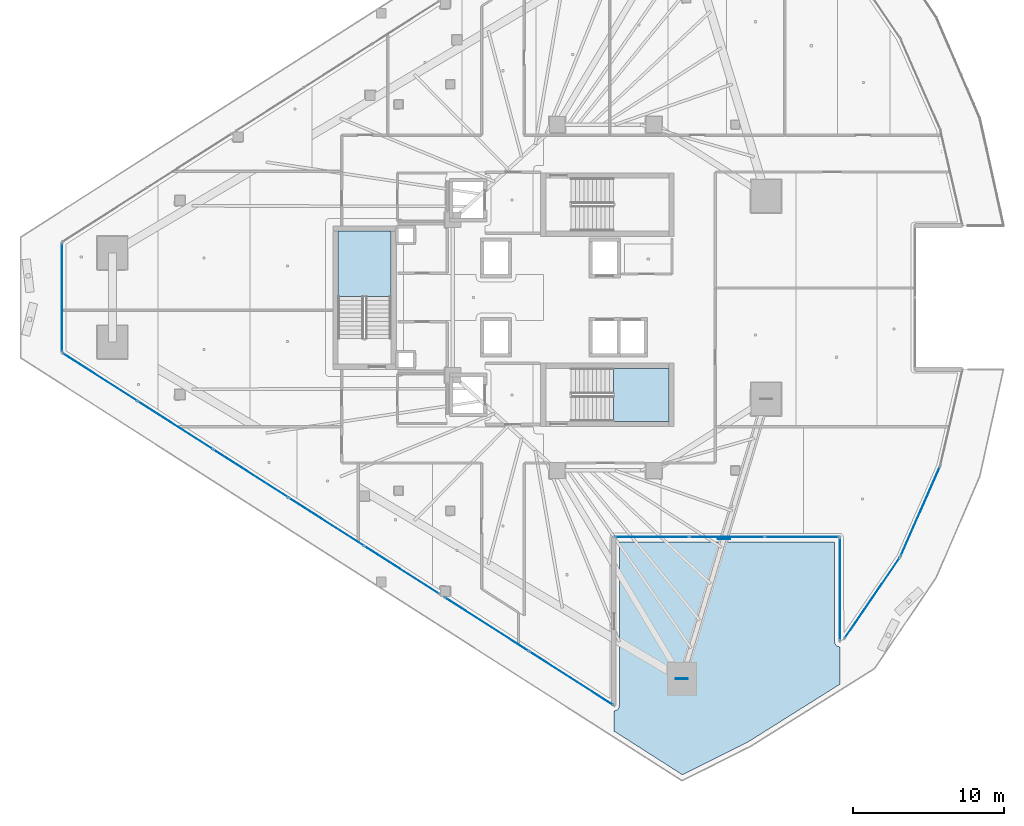
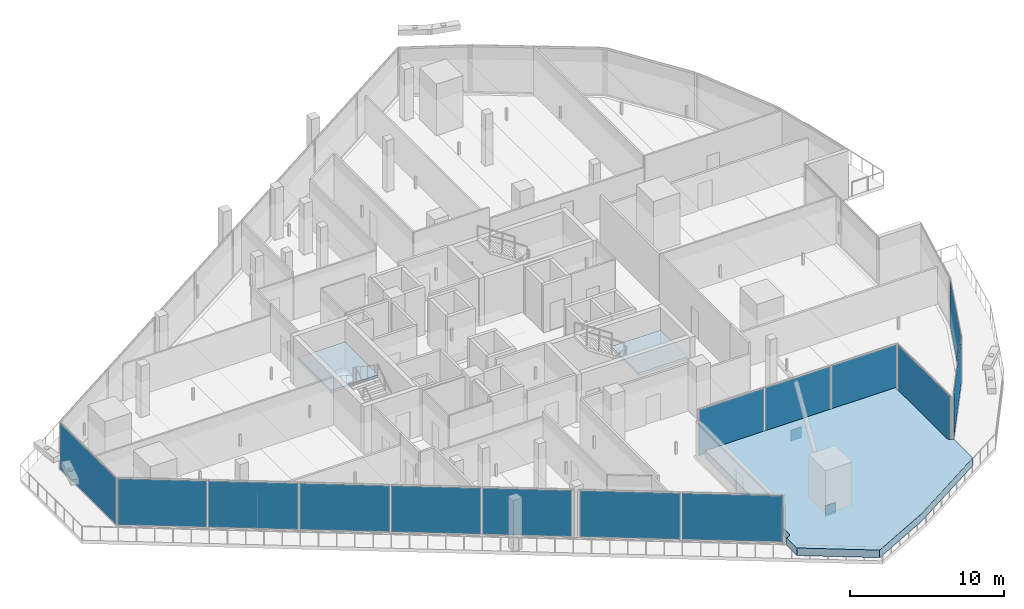
# One storey, part 23 of 38: 16 plates, 3 slabs, 9 elements without a shape of their own.
"""IFC4 building model written with IfcOpenShell, lengths in metres."""

from ifc_helpers import new_model, si_unit, direction, frame, origin, origin_2d, place, context, subcontext, project, spatial, polyline, rectangle, outline, extrude, material, layer, layer_set, type_object, element, aggregate, save


model = new_model("IFC4")

# Units and contexts
model_context = context("Model", 3, precision=1e-05, world=origin(), true_north=direction((0.0, 1.0)))
body_context = subcontext(model_context, "Body", "Model", "MODEL_VIEW")
ifc_project = project(units=[si_unit("LENGTHUNIT", "METRE"), si_unit("AREAUNIT", "SQUARE_METRE"), si_unit("VOLUMEUNIT", "CUBIC_METRE"), si_unit("PLANEANGLEUNIT", "RADIAN"), si_unit("MASSUNIT", "GRAM", prefix="KILO")], contexts=[model_context])

# Site, building, storey
site_placement = place(None, origin())
site = spatial("IfcSite", under=ifc_project, at=site_placement, CompositionType="ELEMENT")
building_placement = place(site_placement, origin())
building = spatial("IfcBuilding", under=site, at=building_placement, Name="Qorvath Tower", CompositionType="ELEMENT")
storey_placement = place(building_placement, frame((0.0, 0.0, 158.39990234375)))
storey = spatial("IfcBuildingStorey", under=building, at=storey_placement, Name="L36", CompositionType="ELEMENT", Elevation=158.39990234375)

# Curtain wall, plates
ifc_material_1 = material(Name="Anodised aluminium and triple low-E glass", Category="aluminium")
ifc_layer_1 = layer(ifc_material_1, 0.179931640625)
ifc_layer_set_1 = layer_set([ifc_layer_1], Name="CW-SYS-5")
curtain_wall_type = type_object("IfcCurtainWallType", Name="CW-SYS-5", PredefinedType="NOTDEFINED", material=ifc_layer_set_1)
curtain_wall_1_placement = place(storey_placement, origin())
curtain_wall_1 = element("IfcCurtainWall", 1, at=curtain_wall_1_placement, inside=storey, type_object=curtain_wall_type, Name="Curtain Wall CW-5 CW-T-L36-2.1", PredefinedType="NOTDEFINED")
ifc_material_2 = material(Name="Low-E triple insulated glass", Category="glass")
ifc_layer_2 = layer(ifc_material_2, 0.031982421875)
ifc_layer_set_2 = layer_set([ifc_layer_2], Name="CWP-GLZ-32")
plate_type_1 = type_object("IfcPlateType", Name="CWP-GLZ-32", PredefinedType="CURTAIN_PANEL", material=ifc_layer_set_2)
plate_1_placement = place(storey_placement, frame((-17.327880859375, -15.840087890625, 0.06494140625), z_axis=(0.0, 0.0, 1.0), x_axis=(1.0, 0.0, 0.0)))
plate_1 = element("IfcPlate", 2, at=plate_1_placement, type_object=plate_type_1, Name="CW-5 panel 1.1", PredefinedType="CURTAIN_PANEL", context=body_context, shape_type="SweptSolid", body=[
    extrude(rectangle(XDim=4.874267578125, YDim=0.031982421875, at=origin_2d()), origin(), (0.0, 0.0, 1.0), 3.64990234375),
])
plate_2_placement = place(storey_placement, frame((-12.360107421875, -15.840087890625, 0.06494140625), z_axis=(0.0, 0.0, 1.0), x_axis=(1.0, 0.0, 0.0)))
plate_2 = element("IfcPlate", 3, at=plate_2_placement, type_object=plate_type_1, Name="CW-5 panel 2.1", PredefinedType="CURTAIN_PANEL", context=body_context, shape_type="SweptSolid", body=[
    extrude(rectangle(XDim=4.91162109375, YDim=0.031982421875, at=origin_2d()), origin(), (0.0, 0.0, 1.0), 3.64990234375),
])
plate_3_placement = place(storey_placement, frame((-7.39208984375, -15.840087890625, 0.06494140625), z_axis=(0.0, 0.0, 1.0), x_axis=(1.0, 0.0, 0.0)))
plate_3 = element("IfcPlate", 4, at=plate_3_placement, type_object=plate_type_1, Name="CW-5 panel 3.1", PredefinedType="CURTAIN_PANEL", context=body_context, shape_type="SweptSolid", body=[
    extrude(rectangle(XDim=4.874267578125, YDim=0.031982421875, at=origin_2d()), origin(), (0.0, 0.0, 1.0), 3.64990234375),
])
aggregate(curtain_wall_1, [plate_1, plate_2, plate_3])

# Curtain wall, plate
curtain_wall_2_placement = place(storey_placement, origin())
curtain_wall_2 = element("IfcCurtainWall", 5, at=curtain_wall_2_placement, inside=storey, type_object=curtain_wall_type, Name="Curtain Wall CW-5 CW-T-L36-3.1", PredefinedType="NOTDEFINED")
plate_4_placement = place(storey_placement, frame((-4.8798828125, -19.30859375, 0.06494140625), z_axis=(0.0, 0.0, 1.0), x_axis=(0.0, -1.0, 0.0)))
plate_4 = element("IfcPlate", 6, at=plate_4_placement, type_object=plate_type_1, Name="CW-5 panel 1.1", PredefinedType="CURTAIN_PANEL", context=body_context, shape_type="SweptSolid", body=[
    extrude(rectangle(XDim=6.787109375, YDim=0.031982421875, at=origin_2d()), origin(), (0.0, 0.0, 1.0), 3.64990234375),
])
aggregate(curtain_wall_2, [plate_4])

curtain_wall_3_placement = place(storey_placement, origin())
curtain_wall_3 = element("IfcCurtainWall", 7, at=curtain_wall_3_placement, inside=storey, type_object=curtain_wall_type, Name="Curtain Wall CW-5 CW-T-L36-5.1", PredefinedType="NOTDEFINED")
plate_5_placement = place(storey_placement, frame((-2.732421875, -19.8818359375, 0.06494140625), z_axis=(0.0, 0.0, 1.0), x_axis=(0.564314480802, 0.825559911065, 0.0)))
plate_5 = element("IfcPlate", 8, at=plate_5_placement, type_object=plate_type_1, Name="CW-5 panel 1.1", PredefinedType="CURTAIN_PANEL", context=body_context, shape_type="SweptSolid", body=[
    extrude(rectangle(XDim=6.42041015625, YDim=0.031982421875, at=origin_2d()), origin(), (0.0, 0.0, 1.0), 3.64990234375),
])
aggregate(curtain_wall_3, [plate_5])

curtain_wall_4_placement = place(storey_placement, origin())
curtain_wall_4 = element("IfcCurtainWall", 9, at=curtain_wall_4_placement, inside=storey, type_object=curtain_wall_type, Name="Curtain Wall CW-5 CW-T-L36-6.1", PredefinedType="NOTDEFINED")
plate_6_placement = place(storey_placement, frame((0.442138671875, -14.161376953125, 0.06494140625), z_axis=(0.0, 0.0, 1.0), x_axis=(0.401947425802, 0.915662747354, 0.0)))
plate_6 = element("IfcPlate", 10, at=plate_6_placement, type_object=plate_type_1, Name="CW-5 panel 1.1", PredefinedType="CURTAIN_PANEL", context=body_context, shape_type="SweptSolid", body=[
    extrude(rectangle(XDim=6.420654296875, YDim=0.031982421875, at=origin_2d()), origin(), (0.0, 0.0, 1.0), 3.64990234375),
])
aggregate(curtain_wall_4, [plate_6])

curtain_wall_5_placement = place(storey_placement, origin())
curtain_wall_5 = element("IfcCurtainWall", 11, at=curtain_wall_5_placement, inside=storey, type_object=curtain_wall_type, Name="Curtain Wall CW-5 CW-T-L36-17.1", PredefinedType="NOTDEFINED")
plate_7_placement = place(storey_placement, frame((-56.38232421875, 0.0, 0.06494140625), z_axis=(0.0, 0.0, 1.0), x_axis=(0.0, -1.0, 0.0)))
plate_7 = element("IfcPlate", 12, at=plate_7_placement, type_object=plate_type_1, Name="CW-5 panel 1.1", PredefinedType="CURTAIN_PANEL", context=body_context, shape_type="SweptSolid", body=[
    extrude(rectangle(XDim=7.183349609375, YDim=0.031982421875, at=origin_2d()), origin(), (0.0, 0.0, 1.0), 3.64990234375),
])
aggregate(curtain_wall_5, [plate_7])

# Curtain wall, plates
curtain_wall_6_placement = place(storey_placement, origin())
curtain_wall_6 = element("IfcCurtainWall", 13, at=curtain_wall_6_placement, inside=storey, type_object=curtain_wall_type, Name="Curtain Wall CW-5 CW-T-L36-18.1", PredefinedType="NOTDEFINED")
plate_8_placement = place(storey_placement, frame((-53.866943359375, -5.2744140625, 0.06494140625), z_axis=(0.0, 0.0, 1.0), x_axis=(0.842600788159, -0.5385386818, 0.0)))
plate_8 = element("IfcPlate", 14, at=plate_8_placement, type_object=plate_type_1, Name="CW-5 panel 1.1", PredefinedType="CURTAIN_PANEL", context=body_context, shape_type="SweptSolid", body=[
    extrude(rectangle(XDim=5.820556640625, YDim=0.031982421875, at=origin_2d()), origin(), (0.0, 0.0, 1.0), 3.64990234375),
])
plate_9_placement = place(storey_placement, frame((-48.88330078125, -8.45947265625, 0.06494140625), z_axis=(0.0, 0.0, 1.0), x_axis=(0.842600788159, -0.5385386818, 0.0)))
plate_9 = element("IfcPlate", 15, at=plate_9_placement, type_object=plate_type_1, Name="CW-5 panel 2.1", PredefinedType="CURTAIN_PANEL", context=body_context, shape_type="SweptSolid", body=[
    extrude(rectangle(XDim=5.858154296875, YDim=0.031982421875, at=origin_2d()), origin(), (0.0, 0.0, 1.0), 3.64990234375),
])
plate_10_placement = place(storey_placement, frame((-43.884033203125, -11.65478515625, 0.06494140625), z_axis=(0.0, 0.0, 1.0), x_axis=(0.842600788159, -0.5385386818, 0.0)))
plate_10 = element("IfcPlate", 16, at=plate_10_placement, type_object=plate_type_1, Name="CW-5 panel 3.1", PredefinedType="CURTAIN_PANEL", context=body_context, shape_type="SweptSolid", body=[
    extrude(rectangle(XDim=5.858154296875, YDim=0.031982421875, at=origin_2d()), origin(), (0.0, 0.0, 1.0), 3.64990234375),
])
plate_11_placement = place(storey_placement, frame((-38.885009765625, -14.849853515625, 0.06494140625), z_axis=(0.0, 0.0, 1.0), x_axis=(0.842600788159, -0.5385386818, 0.0)))
plate_11 = element("IfcPlate", 17, at=plate_11_placement, type_object=plate_type_1, Name="CW-5 panel 4.1", PredefinedType="CURTAIN_PANEL", context=body_context, shape_type="SweptSolid", body=[
    extrude(rectangle(XDim=5.858154296875, YDim=0.031982421875, at=origin_2d()), origin(), (0.0, 0.0, 1.0), 3.64990234375),
])
plate_12_placement = place(storey_placement, frame((-33.9013671875, -18.03515625, 0.06494140625), z_axis=(0.0, 0.0, 1.0), x_axis=(0.842600788159, -0.5385386818, 0.0)))
plate_12 = element("IfcPlate", 18, at=plate_12_placement, type_object=plate_type_1, Name="CW-5 panel 5.1", PredefinedType="CURTAIN_PANEL", context=body_context, shape_type="SweptSolid", body=[
    extrude(rectangle(XDim=5.820556640625, YDim=0.031982421875, at=origin_2d()), origin(), (0.0, 0.0, 1.0), 3.64990234375),
])
aggregate(curtain_wall_6, [plate_8, plate_9, plate_10, plate_11, plate_12])

curtain_wall_7_placement = place(storey_placement, origin())
curtain_wall_7 = element("IfcCurtainWall", 19, at=curtain_wall_7_placement, inside=storey, type_object=curtain_wall_type, Name="Curtain Wall CW-5 CW-T-L36-18.2", PredefinedType="NOTDEFINED")
plate_13_placement = place(storey_placement, frame((-28.263671875, -21.638427734375, 0.06494140625), z_axis=(0.0, 0.0, 1.0), x_axis=(0.842598854676, -0.538541706926, 0.0)))
plate_13 = element("IfcPlate", 20, at=plate_13_placement, type_object=plate_type_1, Name="CW-5 panel 1.1", PredefinedType="CURTAIN_PANEL", context=body_context, shape_type="SweptSolid", body=[
    extrude(rectangle(XDim=6.564697265625, YDim=0.031982421875, at=origin_2d()), origin(), (0.0, 0.0, 1.0), 3.64990234375),
])
plate_14_placement = place(storey_placement, frame((-22.6689453125, -25.214111328125, 0.06494140625), z_axis=(0.0, 0.0, 1.0), x_axis=(0.842598854676, -0.538541706926, 0.0)))
plate_14 = element("IfcPlate", 21, at=plate_14_placement, type_object=plate_type_1, Name="CW-5 panel 2.1", PredefinedType="CURTAIN_PANEL", context=body_context, shape_type="SweptSolid", body=[
    extrude(rectangle(XDim=6.564697265625, YDim=0.031982421875, at=origin_2d()), origin(), (0.0, 0.0, 1.0), 3.64990234375),
])
aggregate(curtain_wall_7, [plate_13, plate_14])

# Plates
ifc_material_3 = material(Name="Steel ASTM A572 Grade 50", Category="steel")
ifc_layer_3 = layer(ifc_material_3, 0.054931640625)
ifc_layer_set_3 = layer_set([ifc_layer_3], Name="PL-MBN1")
plate_type_2 = type_object("IfcPlateType", Name="PL-MBN1", PredefinedType="USERDEFINED", material=ifc_layer_set_3)
for number, where, z_axis, x_axis, name in (
    (22, (-12.55712890625, -15.983642578125, -1.045166015625), (0.0, 0.0, 1.0), (1.0, 0.0, 0.0), "Brace Strut End Gusset Plate NDBG-140"),
    (23, (-15.34423828125, -25.24609375, -0.425048828125), (0.0, 0.0, 1.0), (1.0, 0.0, 0.0), "Brace Strut End Gusset Plate NDBG-142"),
):
    element("IfcPlate", number, at=place(storey_placement, frame(where, z_axis=z_axis, x_axis=x_axis)), inside=storey, type_object=plate_type_2, Name=name, ObjectType="GUSSET", PredefinedType="USERDEFINED", context=body_context, shape_type="SweptSolid", body=[
        extrude(rectangle(XDim=0.800048828125, YDim=0.054931640625, at=origin_2d()), origin(), (0.0, 0.0, 1.0), 0.85009765625),
    ])

# Stair, slab
ifc_material_4 = material(Name="Concrete C50/60", Category="concrete")
stair_type = type_object("IfcStairType", Name="ST-H405", PredefinedType="HALF_TURN_STAIR", material=ifc_material_4)
stair_1_placement = place(storey_placement, origin())
stair_1 = element("IfcStair", 24, at=stair_1_placement, inside=storey, type_object=stair_type, Name="L36 Tower Exit Stair 2", PredefinedType="HALF_TURN_STAIR")
ifc_material_5 = material(Name="Concrete C50/60", Category="concrete")
ifc_layer_4 = layer(ifc_material_5, 0.199951171875)
ifc_layer_set_4 = layer_set([ifc_layer_4], Name="SL-LND-200")
slab_type_1 = type_object("IfcSlabType", Name="SL-LND-200", PredefinedType="LANDING", material=ifc_layer_set_4)
slab_1_placement = place(storey_placement, frame((0.0, 0.0, 1.8251953125)))
slab_1 = element("IfcSlab", 25, at=slab_1_placement, type_object=slab_type_1, Name="TS2 landing 1", PredefinedType="LANDING", context=body_context, shape_type="SweptSolid", body=[
    extrude(outline(polyline([(-19.8701171875, -8.199951171875), (-16.199951171875, -8.199951171875), (-16.199951171875, -4.68994140625), (-19.8701171875, -4.68994140625), (-19.8701171875, -8.199951171875)])), origin(), (0.0, 0.0, 1.0), 0.199951171875),
])
aggregate(stair_1, [slab_1])

stair_2_placement = place(storey_placement, origin())
stair_2 = element("IfcStair", 26, at=stair_2_placement, inside=storey, type_object=stair_type, Name="L36 Tower Exit Stair 3", PredefinedType="HALF_TURN_STAIR")
slab_2_placement = place(storey_placement, frame((0.0, 0.0, 1.8251953125)))
slab_2 = element("IfcSlab", 27, at=slab_2_placement, type_object=slab_type_1, Name="TS3 landing 1", PredefinedType="LANDING", context=body_context, shape_type="SweptSolid", body=[
    extrude(outline(polyline([(-34.60009765625, 0.080078125), (-34.60009765625, 4.39990234375), (-38.110107421875, 4.39990234375), (-38.110107421875, 0.080078125), (-34.60009765625, 0.080078125)])), origin(), (0.0, 0.0, 1.0), 0.199951171875),
])
aggregate(stair_2, [slab_2])

# Slab
ifc_material_6 = material(Name="Precast concrete C45/55", Category="concrete")
ifc_layer_5 = layer(ifc_material_6, 0.60009765625)
ifc_layer_set_5 = layer_set([ifc_layer_5], Name="SL-PLN-600")
slab_type_2 = type_object("IfcSlabType", Name="SL-PLN-600", PredefinedType="USERDEFINED", material=ifc_layer_set_5)
slab_3_placement = place(storey_placement, origin())
element("IfcSlab", 28, at=slab_3_placement, inside=storey, type_object=slab_type_2, Name="Sky Garden Planted Bed PLANTER L36", ObjectType="PLANTER", PredefinedType="USERDEFINED", context=body_context, shape_type="SweptSolid", body=[
    extrude(outline(polyline([(-19.840087890625, -28.70654296875), (-15.311279296875, -31.60107421875), (-10.932373046875, -29.41162109375), (-4.8798828125, -25.605224609375), (-4.8798828125, -23.126953125), (-4.921630859375, -23.124755859375), (-4.955078125, -23.119140625), (-5.01953125, -23.098388671875), (-5.07861328125, -23.065673828125), (-5.13037109375, -23.02197265625), (-5.172607421875, -22.96923828125), (-5.2041015625, -22.909423828125), (-5.223388671875, -22.8447265625), (-5.22998046875, -22.77734375), (-5.22998046875, -16.18994140625), (-19.489990234375, -16.18994140625), (-19.489990234375, -27.022216796875), (-19.49658203125, -27.08984375), (-19.51611328125, -27.155029296875), (-19.5478515625, -27.215087890625), (-19.590576171875, -27.267822265625), (-19.642822265625, -27.3115234375), (-19.702392578125, -27.343994140625), (-19.767333984375, -27.364501953125), (-19.80078125, -27.3701171875), (-19.840087890625, -27.3720703125), (-19.840087890625, -28.70654296875)])), origin(), (0.0, 0.0, 1.0), 0.60009765625),
])

save(model, "model.ifc")
